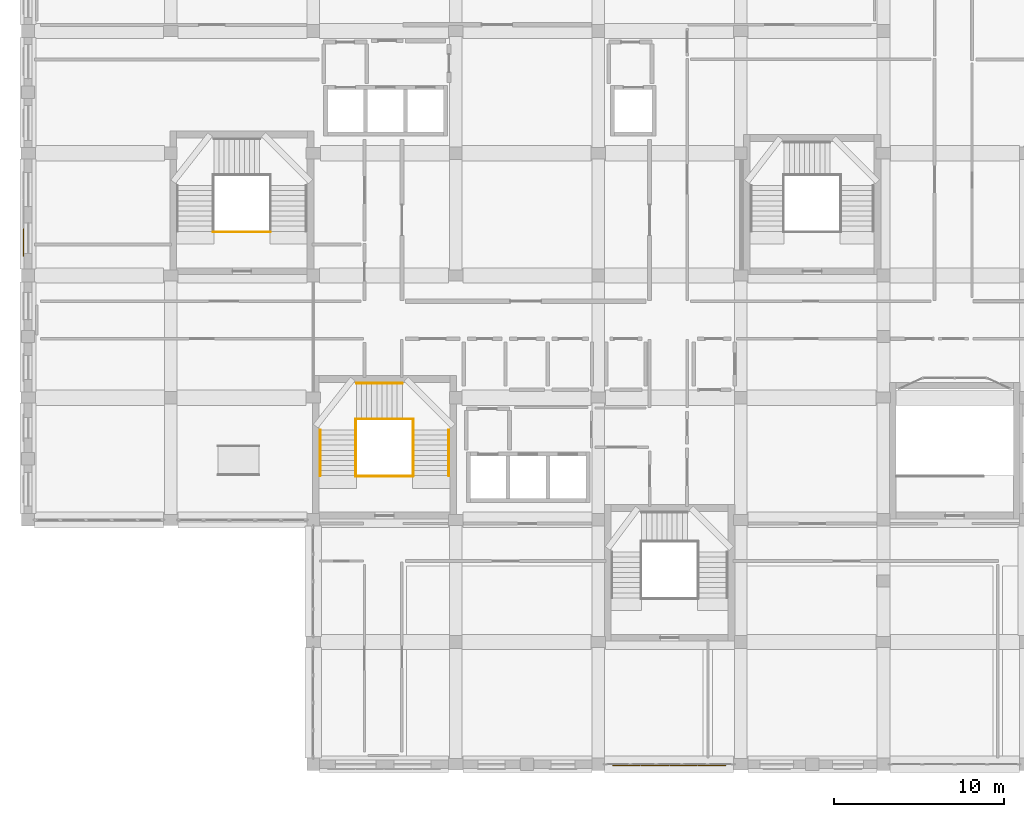
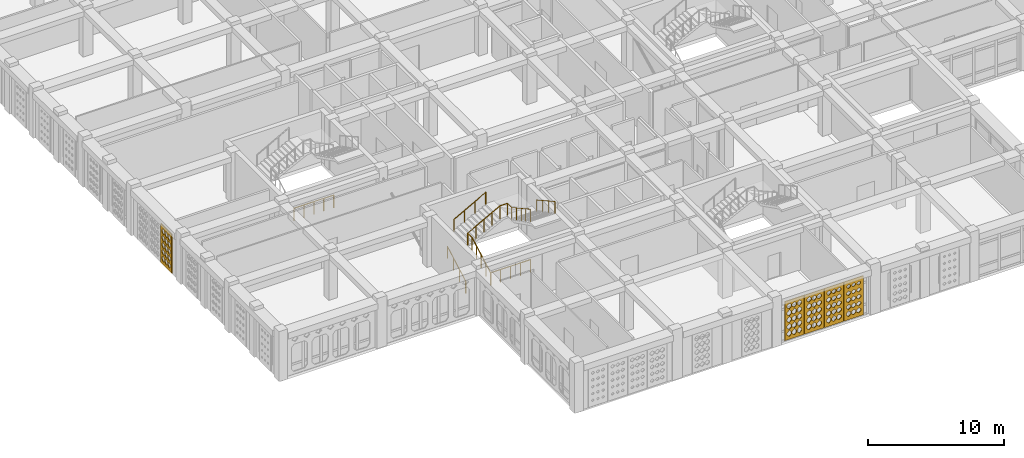
# One storey, part 92 of 121: 8 railings, 5 coverings.
"""IFC4 building model written with IfcOpenShell, lengths in metres."""

from ifc_helpers import new_model, si_unit, derived_unit, direction, frame, origin, origin_2d, place, context, subcontext, project, spatial, polyline, circle, outline, extrude, material, layer, layer_set, type_object, element, save


model = new_model("IFC4")

# Units and contexts
model_context = context("Model", 3, precision=1e-05, world=origin(), true_north=direction((0.0, 1.0)))
body_context = subcontext(model_context, "Body", "Model", "MODEL_VIEW")
ifc_project = project(units=[si_unit("LENGTHUNIT", "METRE"), si_unit("AREAUNIT", "SQUARE_METRE"), si_unit("VOLUMEUNIT", "CUBIC_METRE"), si_unit("PLANEANGLEUNIT", "RADIAN"), si_unit("MASSUNIT", "GRAM", prefix="KILO"), derived_unit("THERMALTRANSMITTANCEUNIT", [(si_unit("POWERUNIT", "WATT"), 1), (si_unit("LENGTHUNIT", "METRE"), -2), (si_unit("THERMODYNAMICTEMPERATUREUNIT", "KELVIN"), -1)])], contexts=[model_context])

# Site, building, storey
site_placement = place(None, origin())
site = spatial("IfcSite", under=ifc_project, at=site_placement, CompositionType="ELEMENT")
building_placement = place(site_placement, origin())
building = spatial("IfcBuilding", under=site, at=building_placement, Name="Veybourne Emporium", CompositionType="ELEMENT")
storey_placement = place(building_placement, frame((0.0, 0.0, 5.39990234375)))
storey = spatial("IfcBuildingStorey", under=building, at=storey_placement, Name="L01", CompositionType="ELEMENT", Elevation=5.39990234375)

# Railings
ifc_material_1 = material(Name="Brushed Stainless Steel", Category="steel")
railing_type_1 = type_object("IfcRailingType", Name="Guard_GR-01", PredefinedType="GUARDRAIL", material=ifc_material_1)
railing_1_placement = place(storey_placement, frame((19.31005859375, 17.0, 0.0)))
element("IfcRailing", 1, at=railing_1_placement, inside=storey, type_object=railing_type_1, Name="L01 ST-01 stair guard 1", PredefinedType="GUARDRAIL", context=body_context, shape_type="SweptSolid", body=[
    extrude(circle(Radius=0.02392578125, at=origin_2d()), frame((0.0, 0.0, 1.1259765625), z_axis=(0.0, 0.87415354758, 0.485649642493), x_axis=(-1.0, 0.0, 0.0)), (0.0, 0.0, 1.0), 3.088623046875),
    extrude(circle(Radius=0.02392578125, at=origin_2d()), frame((0.0, 2.699951171875, 2.6259765625), z_axis=(0.0, 1.0, 0.0), x_axis=(-1.0, 0.0, 0.0)), (0.0, 0.0, 1.0), 0.64013671875),
    extrude(circle(Radius=0.02099609375, at=origin_2d()), origin(), (0.0, 0.0, 1.0), 1.101806640625),
    extrude(circle(Radius=0.02099609375, at=origin_2d()), frame((0.0, 0.675048828125, 0.375)), (0.0, 0.0, 1.0), 1.101806640625),
    extrude(circle(Radius=0.02099609375, at=origin_2d()), frame((0.0, 1.35009765625, 0.75)), (0.0, 0.0, 1.0), 1.101806640625),
    extrude(circle(Radius=0.02099609375, at=origin_2d()), frame((0.0, 2.02490234375, 1.125)), (0.0, 0.0, 1.0), 1.101806640625),
    extrude(circle(Radius=0.02099609375, at=origin_2d()), frame((0.0, 2.699951171875, 1.5)), (0.0, 0.0, 1.0), 1.101806640625),
    extrude(circle(Radius=0.02099609375, at=origin_2d()), frame((0.0, 3.340087890625, 1.5)), (0.0, 0.0, 1.0), 1.101806640625),
])
railing_2_placement = place(storey_placement, frame((19.31005859375, 20.340087890625, 1.5)))
element("IfcRailing", 2, at=railing_2_placement, inside=storey, type_object=railing_type_1, Name="L01 ST-01 stair guard 2", PredefinedType="GUARDRAIL", context=body_context, shape_type="SweptSolid", body=[
    extrude(circle(Radius=0.02392578125, at=origin_2d()), frame((0.0, 0.0, 1.1259765625), z_axis=(0.87715976088, 0.0, 0.480198660861), x_axis=(0.0, 1.0, 0.0)), (0.0, 0.0, 1.0), 3.123779296875),
    extrude(circle(Radius=0.02392578125, at=origin_2d()), frame((2.739990234375, 0.0, 2.6259765625), z_axis=(1.0, 0.0, 0.0), x_axis=(0.0, 1.0, 0.0)), (0.0, 0.0, 1.0), 0.639892578125),
    extrude(circle(Radius=0.02099609375, at=origin_2d()), origin(), (0.0, 0.0, 1.0), 1.101806640625),
    extrude(circle(Radius=0.02099609375, at=origin_2d()), frame((0.68505859375, 0.0, 0.375)), (0.0, 0.0, 1.0), 1.101806640625),
    extrude(circle(Radius=0.02099609375, at=origin_2d()), frame((1.3701171875, 0.0, 0.75)), (0.0, 0.0, 1.0), 1.101806640625),
    extrude(circle(Radius=0.02099609375, at=origin_2d()), frame((2.054931640625, 0.0, 1.125)), (0.0, 0.0, 1.0), 1.101806640625),
    extrude(circle(Radius=0.02099609375, at=origin_2d()), frame((2.739990234375, 0.0, 1.5)), (0.0, 0.0, 1.0), 1.101806640625),
    extrude(circle(Radius=0.02099609375, at=origin_2d()), frame((3.3798828125, 0.0, 1.5)), (0.0, 0.0, 1.0), 1.101806640625),
])
railing_3_placement = place(storey_placement, frame((22.68994140625, 20.340087890625, 3.0)))
element("IfcRailing", 3, at=railing_3_placement, inside=storey, type_object=railing_type_1, Name="L01 ST-01 stair guard 3", PredefinedType="GUARDRAIL", context=body_context, shape_type="SweptSolid", body=[
    extrude(circle(Radius=0.02392578125, at=origin_2d()), frame((0.0, 0.0, 1.1259765625), z_axis=(0.0, -1.0, 0.0), x_axis=(1.0, 0.0, 0.0)), (0.0, 0.0, 1.0), 0.64013671875),
    extrude(circle(Radius=0.02392578125, at=origin_2d()), frame((0.0, -0.64013671875, 1.1259765625), z_axis=(0.0, -0.87415354758, 0.485649642493), x_axis=(1.0, 0.0, 0.0)), (0.0, 0.0, 1.0), 3.088623046875),
    extrude(circle(Radius=0.02099609375, at=origin_2d()), origin(), (0.0, 0.0, 1.0), 1.101806640625),
    extrude(circle(Radius=0.02099609375, at=origin_2d()), frame((0.0, -0.64013671875, 0.0)), (0.0, 0.0, 1.0), 1.101806640625),
    extrude(circle(Radius=0.02099609375, at=origin_2d()), frame((0.0, -1.315185546875, 0.375)), (0.0, 0.0, 1.0), 1.101806640625),
    extrude(circle(Radius=0.02099609375, at=origin_2d()), frame((0.0, -1.990234375, 0.75)), (0.0, 0.0, 1.0), 1.101806640625),
    extrude(circle(Radius=0.02099609375, at=origin_2d()), frame((0.0, -2.6650390625, 1.125)), (0.0, 0.0, 1.0), 1.101806640625),
    extrude(circle(Radius=0.02099609375, at=origin_2d()), frame((0.0, -3.340087890625, 1.5)), (0.0, 0.0, 1.0), 1.101806640625),
])
railing_4_placement = place(storey_placement, frame((19.31005859375, 16.9599609375, 0.0)))
element("IfcRailing", 4, at=railing_4_placement, inside=storey, type_object=railing_type_1, Name="L01 ST-01 stair guard 4", PredefinedType="GUARDRAIL", context=body_context, shape_type="SweptSolid", body=[
    extrude(circle(Radius=0.02392578125, at=origin_2d()), frame((0.0, 0.0, 1.1259765625), z_axis=(1.0, 0.0, 0.0), x_axis=(0.0, 1.0, 0.0)), (0.0, 0.0, 1.0), 3.3798828125),
    extrude(circle(Radius=0.02099609375, at=origin_2d()), origin(), (0.0, 0.0, 1.0), 1.101806640625),
    extrude(circle(Radius=0.02099609375, at=origin_2d()), frame((0.844970703125, 0.0, 0.0)), (0.0, 0.0, 1.0), 1.101806640625),
    extrude(circle(Radius=0.02099609375, at=origin_2d()), frame((1.68994140625, 0.0, 0.0)), (0.0, 0.0, 1.0), 1.101806640625),
    extrude(circle(Radius=0.02099609375, at=origin_2d()), frame((2.534912109375, 0.0, 0.0)), (0.0, 0.0, 1.0), 1.101806640625),
    extrude(circle(Radius=0.02099609375, at=origin_2d()), frame((3.3798828125, 0.0, 0.0)), (0.0, 0.0, 1.0), 1.101806640625),
])
railing_5_placement = place(storey_placement, frame((10.909912109375, 31.360107421875, 0.0)))
element("IfcRailing", 5, at=railing_5_placement, inside=storey, type_object=railing_type_1, Name="L01 ST-02 stair guard 4", PredefinedType="GUARDRAIL", context=body_context, shape_type="SweptSolid", body=[
    extrude(circle(Radius=0.02392578125, at=origin_2d()), frame((0.0, 0.0, 1.1259765625), z_axis=(1.0, 0.0, 0.0), x_axis=(0.0, 1.0, 0.0)), (0.0, 0.0, 1.0), 3.380126953125),
    extrude(circle(Radius=0.02099609375, at=origin_2d()), origin(), (0.0, 0.0, 1.0), 1.101806640625),
    extrude(circle(Radius=0.02099609375, at=origin_2d()), frame((0.844970703125, 0.0, 0.0)), (0.0, 0.0, 1.0), 1.101806640625),
    extrude(circle(Radius=0.02099609375, at=origin_2d()), frame((1.68994140625, 0.0, 0.0)), (0.0, 0.0, 1.0), 1.101806640625),
    extrude(circle(Radius=0.02099609375, at=origin_2d()), frame((2.53515625, 0.0, 0.0)), (0.0, 0.0, 1.0), 1.101806640625),
    extrude(circle(Radius=0.02099609375, at=origin_2d()), frame((3.380126953125, 0.0, 0.0)), (0.0, 0.0, 1.0), 1.101806640625),
])
railing_type_2 = type_object("IfcRailingType", Name="Handrail_HR-01", PredefinedType="HANDRAIL", material=ifc_material_1)
railing_6_placement = place(storey_placement, frame((17.2099609375, 17.0, 0.150146484375)))
element("IfcRailing", 6, at=railing_6_placement, inside=storey, type_object=railing_type_2, Name="L01 ST-01 pitch handrail 1", PredefinedType="HANDRAIL", context=body_context, shape_type="SweptSolid", body=[
    extrude(circle(Radius=0.02392578125, at=origin_2d()), frame((0.0, 0.0, 0.92578125), z_axis=(0.0, 0.87415354758, 0.485649642493), x_axis=(-1.0, 0.0, 0.0)), (0.0, 0.0, 1.0), 3.088623046875),
    extrude(circle(Radius=0.02099609375, at=origin_2d()), frame((0.0, 0.0, -0.14990234375)), (0.0, 0.0, 1.0), 1.0517578125),
    extrude(circle(Radius=0.02099609375, at=origin_2d()), frame((0.0, 0.89990234375, 0.35009765625)), (0.0, 0.0, 1.0), 1.0517578125),
    extrude(circle(Radius=0.02099609375, at=origin_2d()), frame((0.0, 1.800048828125, 0.85009765625)), (0.0, 0.0, 1.0), 1.0517578125),
    extrude(circle(Radius=0.02099609375, at=origin_2d()), frame((0.0, 2.699951171875, 1.35009765625)), (0.0, 0.0, 1.0), 1.0517578125),
])
railing_7_placement = place(storey_placement, frame((19.35009765625, 22.43994140625, 1.650146484375)))
element("IfcRailing", 7, at=railing_7_placement, inside=storey, type_object=railing_type_2, Name="L01 ST-01 pitch handrail 2", PredefinedType="HANDRAIL", context=body_context, shape_type="SweptSolid", body=[
    extrude(circle(Radius=0.02392578125, at=origin_2d()), frame((0.0, 0.0, 0.92578125), z_axis=(0.87415354758, 0.0, 0.485649642493), x_axis=(0.0, 1.0, 0.0)), (0.0, 0.0, 1.0), 3.088623046875),
    extrude(circle(Radius=0.02099609375, at=origin_2d()), frame((0.0, 0.0, -0.14990234375)), (0.0, 0.0, 1.0), 1.0517578125),
    extrude(circle(Radius=0.02099609375, at=origin_2d()), frame((0.89990234375, 0.0, 0.35009765625)), (0.0, 0.0, 1.0), 1.0517578125),
    extrude(circle(Radius=0.02099609375, at=origin_2d()), frame((1.800048828125, 0.0, 0.85009765625)), (0.0, 0.0, 1.0), 1.0517578125),
    extrude(circle(Radius=0.02099609375, at=origin_2d()), frame((2.699951171875, 0.0, 1.35009765625)), (0.0, 0.0, 1.0), 1.0517578125),
])
railing_8_placement = place(storey_placement, frame((24.7900390625, 19.699951171875, 3.150146484375)))
element("IfcRailing", 8, at=railing_8_placement, inside=storey, type_object=railing_type_2, Name="L01 ST-01 pitch handrail 3", PredefinedType="HANDRAIL", context=body_context, shape_type="SweptSolid", body=[
    extrude(circle(Radius=0.02392578125, at=origin_2d()), frame((0.0, 0.0, 0.92578125), z_axis=(0.0, -0.87415354758, 0.485649642493), x_axis=(1.0, 0.0, 0.0)), (0.0, 0.0, 1.0), 3.088623046875),
    extrude(circle(Radius=0.02099609375, at=origin_2d()), frame((0.0, 0.0, -0.14990234375)), (0.0, 0.0, 1.0), 1.0517578125),
    extrude(circle(Radius=0.02099609375, at=origin_2d()), frame((0.0, -0.89990234375, 0.35009765625)), (0.0, 0.0, 1.0), 1.0517578125),
    extrude(circle(Radius=0.02099609375, at=origin_2d()), frame((0.0, -1.800048828125, 0.85009765625)), (0.0, 0.0, 1.0), 1.0517578125),
    extrude(circle(Radius=0.02099609375, at=origin_2d()), frame((0.0, -2.699951171875, 1.35009765625)), (0.0, 0.0, 1.0), 1.0517578125),
])

# Coverings
ifc_material_2 = material(Name="Warm-White Perforated Aluminium Screen Alloy", Category="aluminium")
ifc_layer_1 = layer(ifc_material_2, 0.06005859375)
ifc_layer_set_1 = layer_set([ifc_layer_1], Name="Warm-White Perforated Aluminium Screen Alloy")
covering_type_1 = type_object("IfcCoveringType", Name="WaveScreen_SCR-01", PredefinedType="CLADDING", material=ifc_layer_set_1)
covering_1_placement = place(storey_placement, frame((38.614990234375, -0.096923828125, 1.815185546875), z_axis=(0.0, 1.0, 0.0), x_axis=(-1.0, 0.0, 0.0)))
element("IfcCovering", 9, at=covering_1_placement, inside=storey, type_object=covering_type_1, Name="L01 wave-perforated aluminium screen SCR-01 (21C.2)", PredefinedType="CLADDING", context=body_context, shape_type="SweptSolid", body=[
    extrude(outline(polyline([(-0.81982421875, -1.7548828125), (0.81982421875, -1.7548828125), (0.81982421875, 1.7548828125), (-0.81982421875, 1.7548828125), (-0.81982421875, -1.7548828125)]), holes=[polyline([(-0.433349609375, -0.98046875), (-0.2470703125, -1.138916015625), (-0.2470703125, -1.317138671875), (-0.433349609375, -1.4755859375), (-0.61962890625, -1.317138671875), (-0.61962890625, -1.138916015625), (-0.433349609375, -0.98046875)]), polyline([(-0.433349609375, -0.377685546875), (-0.2470703125, -0.52880859375), (-0.2470703125, -0.69921875), (-0.433349609375, -0.850341796875), (-0.61962890625, -0.69921875), (-0.61962890625, -0.52880859375), (-0.433349609375, -0.377685546875)]), polyline([(-0.433349609375, 0.2236328125), (-0.2470703125, 0.08056640625), (-0.2470703125, -0.08056640625), (-0.433349609375, -0.2236328125), (-0.61962890625, -0.08056640625), (-0.61962890625, 0.08056640625), (-0.433349609375, 0.2236328125)]), polyline([(-0.433349609375, 0.82421875), (-0.25146484375, 0.689697265625), (-0.25146484375, 0.538330078125), (-0.433349609375, 0.40380859375), (-0.615234375, 0.538330078125), (-0.615234375, 0.689697265625), (-0.433349609375, 0.82421875)]), polyline([(-0.433349609375, 1.424072265625), (-0.262939453125, 1.298583984375), (-0.262939453125, 1.157470703125), (-0.433349609375, 1.031982421875), (-0.603759765625, 1.157470703125), (-0.603759765625, 1.298583984375), (-0.433349609375, 1.424072265625)]), polyline([(0.0, -0.975830078125), (0.186279296875, -1.13720703125), (0.186279296875, -1.31884765625), (0.0, -1.480224609375), (-0.186279296875, -1.31884765625), (-0.186279296875, -1.13720703125), (0.0, -0.975830078125)]), polyline([(0.0, -0.372314453125), (0.186279296875, -0.527099609375), (0.186279296875, -0.700927734375), (0.0, -0.855712890625), (-0.186279296875, -0.700927734375), (-0.186279296875, -0.527099609375), (0.0, -0.372314453125)]), polyline([(0.0, 0.2294921875), (0.186279296875, 0.08251953125), (0.186279296875, -0.08251953125), (0.0, -0.2294921875), (-0.186279296875, -0.08251953125), (-0.186279296875, 0.08251953125), (0.0, 0.2294921875)]), polyline([(0.0, 0.830322265625), (0.186279296875, 0.69189453125), (0.186279296875, 0.5361328125), (0.0, 0.397705078125), (-0.186279296875, 0.5361328125), (-0.186279296875, 0.69189453125), (0.0, 0.830322265625)]), polyline([(0.0, 1.430419921875), (0.17578125, 1.30078125), (0.17578125, 1.155029296875), (0.0, 1.025390625), (-0.17578125, 1.155029296875), (-0.17578125, 1.30078125), (0.0, 1.430419921875)]), polyline([(0.433349609375, -0.971435546875), (0.61962890625, -1.1357421875), (0.61962890625, -1.3203125), (0.433349609375, -1.484619140625), (0.2470703125, -1.3203125), (0.2470703125, -1.1357421875), (0.433349609375, -0.971435546875)]), polyline([(0.433349609375, -0.367431640625), (0.61962890625, -0.525146484375), (0.61962890625, -0.702880859375), (0.433349609375, -0.860595703125), (0.2470703125, -0.702880859375), (0.2470703125, -0.525146484375), (0.433349609375, -0.367431640625)]), polyline([(0.433349609375, 0.235107421875), (0.61962890625, 0.084716796875), (0.61962890625, -0.084716796875), (0.433349609375, -0.235107421875), (0.2470703125, -0.084716796875), (0.2470703125, 0.084716796875), (0.433349609375, 0.235107421875)]), polyline([(0.433349609375, 0.83642578125), (0.61962890625, 0.694091796875), (0.61962890625, 0.533935546875), (0.433349609375, 0.3916015625), (0.2470703125, 0.533935546875), (0.2470703125, 0.694091796875), (0.433349609375, 0.83642578125)]), polyline([(0.433349609375, 1.43701171875), (0.6142578125, 1.30322265625), (0.6142578125, 1.15283203125), (0.433349609375, 1.01904296875), (0.25244140625, 1.15283203125), (0.25244140625, 1.30322265625), (0.433349609375, 1.43701171875)])]), origin(), (0.0, 0.0, 1.0), 0.06005859375),
])
ifc_layer_2 = layer(ifc_material_2, 0.06005859375)
ifc_layer_set_2 = layer_set([ifc_layer_2], Name="Warm-White Perforated Aluminium Screen Alloy")
covering_type_2 = type_object("IfcCoveringType", Name="WaveScreen_SCR-02", PredefinedType="CLADDING", material=ifc_layer_set_2)
covering_2_placement = place(storey_placement, frame((36.93505859375, -0.096923828125, 1.815185546875), z_axis=(0.0, 1.0, 0.0), x_axis=(-1.0, 0.0, 0.0)))
element("IfcCovering", 10, at=covering_2_placement, inside=storey, type_object=covering_type_2, Name="L01 wave-perforated aluminium screen SCR-02 (21C.3)", PredefinedType="CLADDING", context=body_context, shape_type="SweptSolid", body=[
    extrude(outline(polyline([(-0.81982421875, -1.7548828125), (0.81982421875, -1.7548828125), (0.81982421875, 1.7548828125), (-0.81982421875, 1.7548828125), (-0.81982421875, -1.7548828125)]), holes=[polyline([(-0.433349609375, -0.964599609375), (-0.2470703125, -1.13330078125), (-0.2470703125, -1.32275390625), (-0.433349609375, -1.491455078125), (-0.61962890625, -1.32275390625), (-0.61962890625, -1.13330078125), (-0.433349609375, -0.964599609375)]), polyline([(-0.433349609375, -0.35888671875), (-0.2470703125, -0.522216796875), (-0.2470703125, -0.705810546875), (-0.433349609375, -0.869140625), (-0.61962890625, -0.705810546875), (-0.61962890625, -0.522216796875), (-0.433349609375, -0.35888671875)]), polyline([(-0.433349609375, 0.2451171875), (-0.2470703125, 0.088134765625), (-0.2470703125, -0.088134765625), (-0.433349609375, -0.2451171875), (-0.61962890625, -0.088134765625), (-0.61962890625, 0.088134765625), (-0.433349609375, 0.2451171875)]), polyline([(-0.433349609375, 0.847412109375), (-0.2470703125, 0.697998046875), (-0.2470703125, 0.530029296875), (-0.433349609375, 0.380615234375), (-0.61962890625, 0.530029296875), (-0.61962890625, 0.697998046875), (-0.433349609375, 0.847412109375)]), polyline([(-0.433349609375, 1.448486328125), (-0.2470703125, 1.307373046875), (-0.2470703125, 1.148681640625), (-0.433349609375, 1.007568359375), (-0.61962890625, 1.148681640625), (-0.61962890625, 1.307373046875), (-0.433349609375, 1.448486328125)]), polyline([(0.0, -0.964111328125), (0.186279296875, -1.133056640625), (0.186279296875, -1.322998046875), (0.0, -1.491943359375), (-0.186279296875, -1.322998046875), (-0.186279296875, -1.133056640625), (0.0, -0.964111328125)]), polyline([(0.0, -0.35498046875), (0.186279296875, -0.520751953125), (0.186279296875, -0.707275390625), (0.0, -0.873046875), (-0.186279296875, -0.707275390625), (-0.186279296875, -0.520751953125), (0.0, -0.35498046875)]), polyline([(0.0, 0.249755859375), (0.186279296875, 0.08984375), (0.186279296875, -0.08984375), (0.0, -0.249755859375), (-0.186279296875, -0.08984375), (-0.186279296875, 0.08984375), (0.0, 0.249755859375)]), polyline([(0.0, 0.852783203125), (0.186279296875, 0.699951171875), (0.186279296875, 0.528076171875), (0.0, 0.375244140625), (-0.186279296875, 0.528076171875), (-0.186279296875, 0.699951171875), (0.0, 0.852783203125)]), polyline([(0.0, 1.45458984375), (0.186279296875, 1.3095703125), (0.186279296875, 1.146484375), (0.0, 1.00146484375), (-0.186279296875, 1.146484375), (-0.186279296875, 1.3095703125), (0.0, 1.45458984375)]), polyline([(0.433349609375, -0.964111328125), (0.61962890625, -1.133056640625), (0.61962890625, -1.322998046875), (0.433349609375, -1.491943359375), (0.2470703125, -1.322998046875), (0.2470703125, -1.133056640625), (0.433349609375, -0.964111328125)]), polyline([(0.433349609375, -0.351318359375), (0.61962890625, -0.519287109375), (0.61962890625, -0.70849609375), (0.433349609375, -0.876708984375), (0.2470703125, -0.70849609375), (0.2470703125, -0.519287109375), (0.433349609375, -0.351318359375)]), polyline([(0.433349609375, 0.25439453125), (0.61962890625, 0.091552734375), (0.61962890625, -0.091552734375), (0.433349609375, -0.25439453125), (0.2470703125, -0.091552734375), (0.2470703125, 0.091552734375), (0.433349609375, 0.25439453125)]), polyline([(0.433349609375, 0.85791015625), (0.61962890625, 0.701904296875), (0.61962890625, 0.526123046875), (0.433349609375, 0.3701171875), (0.2470703125, 0.526123046875), (0.2470703125, 0.701904296875), (0.433349609375, 0.85791015625)]), polyline([(0.433349609375, 1.460205078125), (0.61962890625, 1.3115234375), (0.61962890625, 1.144287109375), (0.433349609375, 0.995849609375), (0.2470703125, 1.144287109375), (0.2470703125, 1.3115234375), (0.433349609375, 1.460205078125)])]), origin(), (0.0, 0.0, 1.0), 0.06005859375),
])
ifc_layer_3 = layer(ifc_material_2, 0.06005859375)
ifc_layer_set_3 = layer_set([ifc_layer_3], Name="Warm-White Perforated Aluminium Screen Alloy")
covering_type_3 = type_object("IfcCoveringType", Name="WaveScreen_SCR-03", PredefinedType="CLADDING", material=ifc_layer_set_3)
covering_3_placement = place(storey_placement, frame((-0.298095703125, 30.7451171875, 1.815185546875), z_axis=(1.0, 0.0, 0.0), x_axis=(0.0, 1.0, 0.0)))
element("IfcCovering", 11, at=covering_3_placement, inside=storey, type_object=covering_type_3, Name="L01 wave-perforated aluminium screen SCR-03 (4.1)", PredefinedType="CLADDING", context=body_context, shape_type="SweptSolid", body=[
    extrude(outline(polyline([(-0.81982421875, -1.7548828125), (0.81982421875, -1.7548828125), (0.81982421875, 1.7548828125), (-0.81982421875, 1.7548828125), (-0.81982421875, -1.7548828125)]), holes=[polyline([(-0.433349609375, -0.976318359375), (-0.2470703125, -1.137451171875), (-0.2470703125, -1.318603515625), (-0.433349609375, -1.479736328125), (-0.61962890625, -1.318603515625), (-0.61962890625, -1.137451171875), (-0.433349609375, -0.976318359375)]), polyline([(-0.433349609375, -0.353271484375), (-0.2470703125, -0.520263671875), (-0.2470703125, -0.707763671875), (-0.433349609375, -0.874755859375), (-0.61962890625, -0.707763671875), (-0.61962890625, -0.520263671875), (-0.433349609375, -0.353271484375)]), polyline([(-0.433349609375, 0.263916015625), (-0.2470703125, 0.094970703125), (-0.2470703125, -0.094970703125), (-0.433349609375, -0.263916015625), (-0.61962890625, -0.094970703125), (-0.61962890625, 0.094970703125), (-0.433349609375, 0.263916015625)]), polyline([(-0.433349609375, 0.8779296875), (-0.2470703125, 0.708984375), (-0.2470703125, 0.51904296875), (-0.433349609375, 0.35009765625), (-0.61962890625, 0.51904296875), (-0.61962890625, 0.708984375), (-0.433349609375, 0.8779296875)]), polyline([(-0.433349609375, 1.491943359375), (-0.2470703125, 1.322998046875), (-0.2470703125, 1.133056640625), (-0.433349609375, 0.964111328125), (-0.61962890625, 1.133056640625), (-0.61962890625, 1.322998046875), (-0.433349609375, 1.491943359375)]), polyline([(0.0, -0.971923828125), (0.186279296875, -1.1357421875), (0.186279296875, -1.3203125), (0.0, -1.48388671875), (-0.186279296875, -1.3203125), (-0.186279296875, -1.1357421875), (0.0, -0.971923828125)]), polyline([(0.0, -0.35009765625), (0.186279296875, -0.51904296875), (0.186279296875, -0.708984375), (0.0, -0.8779296875), (-0.186279296875, -0.708984375), (-0.186279296875, -0.51904296875), (0.0, -0.35009765625)]), polyline([(0.0, 0.263916015625), (0.186279296875, 0.094970703125), (0.186279296875, -0.094970703125), (0.0, -0.263916015625), (-0.186279296875, -0.094970703125), (-0.186279296875, 0.094970703125), (0.0, 0.263916015625)]), polyline([(0.0, 0.8779296875), (0.186279296875, 0.708984375), (0.186279296875, 0.51904296875), (0.0, 0.35009765625), (-0.186279296875, 0.51904296875), (-0.186279296875, 0.708984375), (0.0, 0.8779296875)]), polyline([(0.0, 1.491943359375), (0.186279296875, 1.322998046875), (0.186279296875, 1.133056640625), (0.0, 0.964111328125), (-0.186279296875, 1.133056640625), (-0.186279296875, 1.322998046875), (0.0, 1.491943359375)]), polyline([(0.433349609375, -0.968017578125), (0.61962890625, -1.134521484375), (0.61962890625, -1.321533203125), (0.433349609375, -1.48779296875), (0.2470703125, -1.321533203125), (0.2470703125, -1.134521484375), (0.433349609375, -0.968017578125)]), polyline([(0.433349609375, -0.35009765625), (0.61962890625, -0.51904296875), (0.61962890625, -0.708984375), (0.433349609375, -0.8779296875), (0.2470703125, -0.708984375), (0.2470703125, -0.51904296875), (0.433349609375, -0.35009765625)]), polyline([(0.433349609375, 0.263916015625), (0.61962890625, 0.094970703125), (0.61962890625, -0.094970703125), (0.433349609375, -0.263916015625), (0.2470703125, -0.094970703125), (0.2470703125, 0.094970703125), (0.433349609375, 0.263916015625)]), polyline([(0.433349609375, 0.8779296875), (0.61962890625, 0.708984375), (0.61962890625, 0.51904296875), (0.433349609375, 0.35009765625), (0.2470703125, 0.51904296875), (0.2470703125, 0.708984375), (0.433349609375, 0.8779296875)]), polyline([(0.433349609375, 1.491943359375), (0.61962890625, 1.322998046875), (0.61962890625, 1.133056640625), (0.433349609375, 0.964111328125), (0.2470703125, 1.133056640625), (0.2470703125, 1.322998046875), (0.433349609375, 1.491943359375)])]), origin(), (0.0, 0.0, 1.0), 0.06005859375),
])
covering_4_placement = place(storey_placement, frame((35.2548828125, -0.096923828125, 1.815185546875), z_axis=(0.0, 1.0, 0.0), x_axis=(-1.0, 0.0, 0.0)))
element("IfcCovering", 12, at=covering_4_placement, inside=storey, type_object=covering_type_3, Name="L01 wave-perforated aluminium screen SCR-03 (21C.4)", PredefinedType="CLADDING", context=body_context, shape_type="SweptSolid", body=[
    extrude(outline(polyline([(-0.81982421875, -1.7548828125), (0.81982421875, -1.7548828125), (0.81982421875, 1.7548828125), (-0.81982421875, 1.7548828125), (-0.81982421875, -1.7548828125)]), holes=[polyline([(-0.433349609375, -0.964111328125), (-0.2470703125, -1.133056640625), (-0.2470703125, -1.322998046875), (-0.433349609375, -1.491943359375), (-0.61962890625, -1.322998046875), (-0.61962890625, -1.133056640625), (-0.433349609375, -0.964111328125)]), polyline([(-0.433349609375, -0.35009765625), (-0.2470703125, -0.51904296875), (-0.2470703125, -0.708984375), (-0.433349609375, -0.8779296875), (-0.61962890625, -0.708984375), (-0.61962890625, -0.51904296875), (-0.433349609375, -0.35009765625)]), polyline([(-0.433349609375, 0.26171875), (-0.2470703125, 0.09423828125), (-0.2470703125, -0.09423828125), (-0.433349609375, -0.26171875), (-0.61962890625, -0.09423828125), (-0.61962890625, 0.09423828125), (-0.433349609375, 0.26171875)]), polyline([(-0.433349609375, 0.866943359375), (-0.2470703125, 0.705078125), (-0.2470703125, 0.52294921875), (-0.433349609375, 0.361083984375), (-0.61962890625, 0.52294921875), (-0.61962890625, 0.705078125), (-0.433349609375, 0.866943359375)]), polyline([(-0.433349609375, 1.470458984375), (-0.2470703125, 1.315185546875), (-0.2470703125, 1.140869140625), (-0.433349609375, 0.985595703125), (-0.61962890625, 1.140869140625), (-0.61962890625, 1.315185546875), (-0.433349609375, 1.470458984375)]), polyline([(0.0, -0.964111328125), (0.186279296875, -1.133056640625), (0.186279296875, -1.322998046875), (0.0, -1.491943359375), (-0.186279296875, -1.322998046875), (-0.186279296875, -1.133056640625), (0.0, -0.964111328125)]), polyline([(0.0, -0.35009765625), (0.186279296875, -0.51904296875), (0.186279296875, -0.708984375), (0.0, -0.8779296875), (-0.186279296875, -0.708984375), (-0.186279296875, -0.51904296875), (0.0, -0.35009765625)]), polyline([(0.0, 0.263916015625), (0.186279296875, 0.094970703125), (0.186279296875, -0.094970703125), (0.0, -0.263916015625), (-0.186279296875, -0.094970703125), (-0.186279296875, 0.094970703125), (0.0, 0.263916015625)]), polyline([(0.0, 0.87109375), (0.186279296875, 0.70654296875), (0.186279296875, 0.521484375), (0.0, 0.35693359375), (-0.186279296875, 0.521484375), (-0.186279296875, 0.70654296875), (0.0, 0.87109375)]), polyline([(0.0, 1.475341796875), (0.186279296875, 1.31689453125), (0.186279296875, 1.138916015625), (0.0, 0.980712890625), (-0.186279296875, 1.138916015625), (-0.186279296875, 1.31689453125), (0.0, 1.475341796875)]), polyline([(0.433349609375, -0.964111328125), (0.61962890625, -1.133056640625), (0.61962890625, -1.322998046875), (0.433349609375, -1.491943359375), (0.2470703125, -1.322998046875), (0.2470703125, -1.133056640625), (0.433349609375, -0.964111328125)]), polyline([(0.433349609375, -0.35009765625), (0.61962890625, -0.51904296875), (0.61962890625, -0.708984375), (0.433349609375, -0.8779296875), (0.2470703125, -0.708984375), (0.2470703125, -0.51904296875), (0.433349609375, -0.35009765625)]), polyline([(0.433349609375, 0.263916015625), (0.61962890625, 0.094970703125), (0.61962890625, -0.094970703125), (0.433349609375, -0.263916015625), (0.2470703125, -0.094970703125), (0.2470703125, 0.094970703125), (0.433349609375, 0.263916015625)]), polyline([(0.433349609375, 0.875), (0.61962890625, 0.7080078125), (0.61962890625, 0.52001953125), (0.433349609375, 0.35302734375), (0.2470703125, 0.52001953125), (0.2470703125, 0.7080078125), (0.433349609375, 0.875)]), polyline([(0.433349609375, 1.47998046875), (0.61962890625, 1.318603515625), (0.61962890625, 1.13720703125), (0.433349609375, 0.97607421875), (0.2470703125, 1.13720703125), (0.2470703125, 1.318603515625), (0.433349609375, 1.47998046875)])]), origin(), (0.0, 0.0, 1.0), 0.06005859375),
])
ifc_layer_4 = layer(ifc_material_2, 0.06005859375)
ifc_layer_set_4 = layer_set([ifc_layer_4], Name="Warm-White Perforated Aluminium Screen Alloy")
covering_type_4 = type_object("IfcCoveringType", Name="WaveScreen_SCR-04", PredefinedType="CLADDING", material=ifc_layer_set_4)
covering_5_placement = place(storey_placement, frame((40.294921875, -0.096923828125, 1.815185546875), z_axis=(0.0, 1.0, 0.0), x_axis=(-1.0, 0.0, 0.0)))
element("IfcCovering", 13, at=covering_5_placement, inside=storey, type_object=covering_type_4, Name="L01 wave-perforated aluminium screen SCR-04 (21C.1)", PredefinedType="CLADDING", context=body_context, shape_type="SweptSolid", body=[
    extrude(outline(polyline([(-0.81982421875, -1.7548828125), (0.81982421875, -1.7548828125), (0.81982421875, 1.7548828125), (-0.81982421875, 1.7548828125), (-0.81982421875, -1.7548828125)]), holes=[polyline([(-0.433349609375, -1.001220703125), (-0.2470703125, -1.146240234375), (-0.2470703125, -1.309814453125), (-0.433349609375, -1.454833984375), (-0.61962890625, -1.309814453125), (-0.61962890625, -1.146240234375), (-0.433349609375, -1.001220703125)]), polyline([(-0.433349609375, -0.400390625), (-0.24853515625, -0.537109375), (-0.24853515625, -0.69091796875), (-0.433349609375, -0.827392578125), (-0.617919921875, -0.69091796875), (-0.617919921875, -0.537109375), (-0.433349609375, -0.400390625)]), polyline([(-0.433349609375, 0.199462890625), (-0.260009765625, 0.07177734375), (-0.260009765625, -0.07177734375), (-0.433349609375, -0.199462890625), (-0.606689453125, -0.07177734375), (-0.606689453125, 0.07177734375), (-0.433349609375, 0.199462890625)]), polyline([(-0.433349609375, 0.79931640625), (-0.271728515625, 0.6806640625), (-0.271728515625, 0.54736328125), (-0.433349609375, 0.4287109375), (-0.594970703125, 0.54736328125), (-0.594970703125, 0.6806640625), (-0.433349609375, 0.79931640625)]), polyline([(-0.433349609375, 1.3994140625), (-0.283203125, 1.289794921875), (-0.283203125, 1.166259765625), (-0.433349609375, 1.056640625), (-0.58349609375, 1.166259765625), (-0.58349609375, 1.289794921875), (-0.433349609375, 1.3994140625)]), polyline([(0.0, -0.995361328125), (0.186279296875, -1.144287109375), (0.186279296875, -1.311767578125), (0.0, -1.460693359375), (-0.186279296875, -1.311767578125), (-0.186279296875, -1.144287109375), (0.0, -0.995361328125)]), polyline([(0.0, -0.394287109375), (0.186279296875, -0.534912109375), (0.186279296875, -0.693115234375), (0.0, -0.833740234375), (-0.186279296875, -0.693115234375), (-0.186279296875, -0.534912109375), (0.0, -0.394287109375)]), polyline([(0.0, 0.205810546875), (0.178466796875, 0.07421875), (0.178466796875, -0.07421875), (0.0, -0.205810546875), (-0.178466796875, -0.07421875), (-0.178466796875, 0.07421875), (0.0, 0.205810546875)]), polyline([(0.0, 0.805908203125), (0.1669921875, 0.68310546875), (0.1669921875, 0.544921875), (0.0, 0.422119140625), (-0.1669921875, 0.544921875), (-0.1669921875, 0.68310546875), (0.0, 0.805908203125)]), polyline([(0.0, 1.40576171875), (0.155517578125, 1.2919921875), (0.155517578125, 1.1640625), (0.0, 1.05029296875), (-0.155517578125, 1.1640625), (-0.155517578125, 1.2919921875), (0.0, 1.40576171875)]), polyline([(0.433349609375, -0.989990234375), (0.61962890625, -1.142333984375), (0.61962890625, -1.313720703125), (0.433349609375, -1.466064453125), (0.2470703125, -1.313720703125), (0.2470703125, -1.142333984375), (0.433349609375, -0.989990234375)]), polyline([(0.433349609375, -0.388427734375), (0.61962890625, -0.53271484375), (0.61962890625, -0.6953125), (0.433349609375, -0.839599609375), (0.2470703125, -0.6953125), (0.2470703125, -0.53271484375), (0.433349609375, -0.388427734375)]), polyline([(0.433349609375, 0.212158203125), (0.616943359375, 0.076416015625), (0.616943359375, -0.076416015625), (0.433349609375, -0.212158203125), (0.249755859375, -0.076416015625), (0.249755859375, 0.076416015625), (0.433349609375, 0.212158203125)]), polyline([(0.433349609375, 0.812255859375), (0.60546875, 0.685302734375), (0.60546875, 0.54248046875), (0.433349609375, 0.415771484375), (0.260986328125, 0.54248046875), (0.260986328125, 0.685302734375), (0.433349609375, 0.812255859375)]), polyline([(0.433349609375, 1.412109375), (0.593994140625, 1.294189453125), (0.593994140625, 1.16162109375), (0.433349609375, 1.0439453125), (0.272705078125, 1.16162109375), (0.272705078125, 1.294189453125), (0.433349609375, 1.412109375)])]), origin(), (0.0, 0.0, 1.0), 0.06005859375),
])

save(model, "model.ifc")
